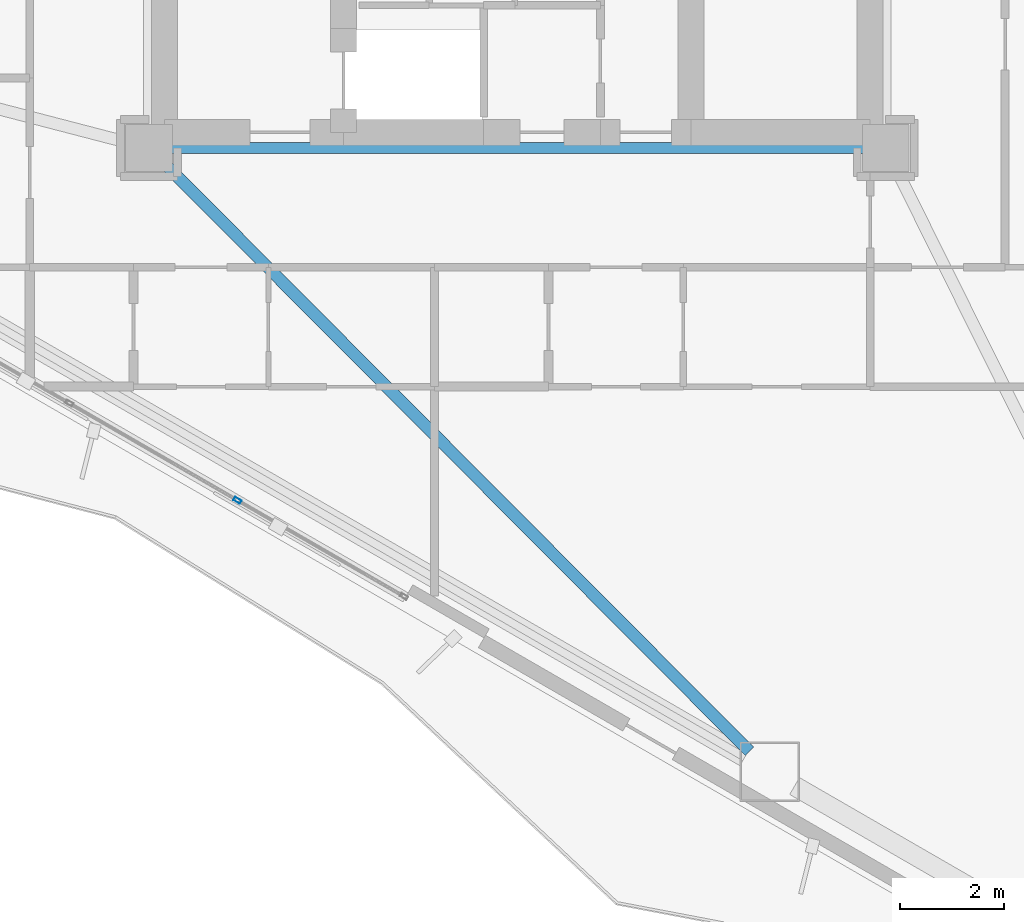
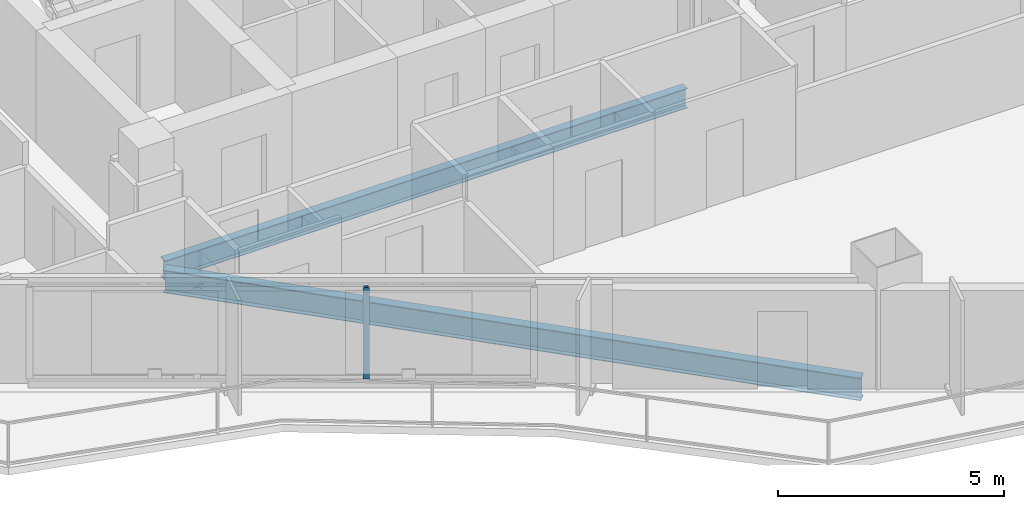
# One storey, part 4 of 23: 2 beams, 1 member, 1 element without a shape of its own.
"""IFC4 building model written with IfcOpenShell, lengths in metres."""

from ifc_helpers import new_model, si_unit, direction, frame, origin, origin_2d, place, context, subcontext, project, spatial, hollow_rectangle, i_section, extrude, material, layer, layer_set, material_profile, profile_set, type_object, element, aggregate, save


model = new_model("IFC4")

# Units and contexts
model_context = context("Model", 3, precision=1e-05, world=origin(), true_north=direction((0.0, 1.0)))
body_context = subcontext(model_context, "Body", "Model", "MODEL_VIEW")
ifc_project = project(units=[si_unit("LENGTHUNIT", "METRE"), si_unit("AREAUNIT", "SQUARE_METRE"), si_unit("VOLUMEUNIT", "CUBIC_METRE"), si_unit("PLANEANGLEUNIT", "RADIAN"), si_unit("MASSUNIT", "GRAM", prefix="KILO")], contexts=[model_context])

# Site, building, storey
site_placement = place(None, origin())
site = spatial("IfcSite", under=ifc_project, at=site_placement, CompositionType="ELEMENT")
building_placement = place(site_placement, origin())
building = spatial("IfcBuilding", under=site, at=building_placement, Name="Mersakhor Tower and Convention Hall", CompositionType="ELEMENT")
storey_placement = place(building_placement, frame((0.0, 0.0, 93.300048828125)))
storey = spatial("IfcBuildingStorey", under=building, at=storey_placement, Name="L25", CompositionType="ELEMENT", Elevation=93.300048828125)

# Beams
ifc_material_1 = material(Name="Steel S355", Category="steel")
ifc_material_profile_1 = material_profile(ifc_material_1, i_section(OverallWidth=0.2099609375, OverallDepth=0.53662109375, WebThickness=0.0107421875, FlangeThickness=0.017333984375, at=origin_2d()), Name="UB 533x210x101")
ifc_profile_set_1 = profile_set([ifc_material_profile_1], Name="Steel S355")
beam_type_1 = type_object("IfcBeamType", Name="BM-FB-533", PredefinedType="BEAM", material=ifc_profile_set_1)
beam_1_placement = place(storey_placement, frame((35.669921875, 20.449951171875, -0.5185546875), z_axis=(-1.0, 0.0, 0.0), x_axis=(0.0, -1.0, 0.0)))
element("IfcBeam", 1, at=beam_1_placement, inside=storey, type_object=beam_type_1, Name="L25 Core Ring Tie Beam CRB-4", PredefinedType="BEAM", context=body_context, shape_type="SweptSolid", body=[
    extrude(i_section(OverallWidth=0.2099609375, OverallDepth=0.53662109375, WebThickness=0.0107421875, FlangeThickness=0.017333984375, at=origin_2d()), origin(), (0.0, 0.0, 1.0), 13.33984375),
])
ifc_material_2 = material(Name="Steel S355", Category="steel")
ifc_material_profile_2 = material_profile(ifc_material_2, i_section(OverallWidth=0.22900390625, OverallDepth=0.6123046875, WebThickness=0.011962890625, FlangeThickness=0.01953125, at=origin_2d()), Name="UB 610x229x125")
ifc_profile_set_2 = profile_set([ifc_material_profile_2], Name="Steel S355")
beam_type_2 = type_object("IfcBeamType", Name="BM-PR-610", PredefinedType="BEAM", material=ifc_profile_set_2)
beam_2_placement = place(storey_placement, frame((22.203369140625, 20.145263671875, -0.55615234375), z_axis=(0.705400603107, -0.708808852327, 0.0), x_axis=(0.708808852327, 0.705400603107, 0.0)))
element("IfcBeam", 2, at=beam_2_placement, inside=storey, type_object=beam_type_2, Name="L25 Primary Floor Girder FG-5", PredefinedType="BEAM", context=body_context, shape_type="SweptSolid", body=[
    extrude(i_section(OverallWidth=0.22900390625, OverallDepth=0.6123046875, WebThickness=0.011962890625, FlangeThickness=0.01953125, at=origin_2d()), origin(), (0.0, 0.0, 1.0), 15.973876953125),
])

# Curtain wall, member
ifc_material_3 = material(Name="Dark solar low-E aluminium curtain wall", Category="aluminium")
ifc_layer = layer(ifc_material_3, 0.159912109375)
ifc_layer_set = layer_set([ifc_layer], Name="Dark solar low-E aluminium curtain wall")
curtain_wall_type = type_object("IfcCurtainWallType", Name="CW-SYS-01", PredefinedType="USERDEFINED", material=ifc_layer_set)
curtain_wall_placement = place(storey_placement, origin())
curtain_wall = element("IfcCurtainWall", 3, at=curtain_wall_placement, inside=storey, type_object=curtain_wall_type, Name="L25 Dark-Glass Curtain Wall F3-B2", ObjectType="CURTAIN WALL", PredefinedType="USERDEFINED")
ifc_material_4 = material(Name="Anodised aluminium EN AW-6063 T6", Category="aluminium")
ifc_material_profile_3 = material_profile(ifc_material_4, hollow_rectangle(XDim=0.074951171875, YDim=0.14990234375, WallThickness=0.00634765625, at=origin_2d()), Name="RHS 150x75x6.3")
ifc_profile_set_3 = profile_set([ifc_material_profile_3], Name="Anodised aluminium EN AW-6063 T6")
member_type = type_object("IfcMemberType", Name="CWM-150x75", PredefinedType="MULLION", material=ifc_profile_set_3)
member_placement = place(storey_placement, frame((23.603515625, 13.659912109375, 0.199951171875), z_axis=(0.0, 0.0, 1.0), x_axis=(-0.499997904985, -0.866026613339, 0.0)))
member = element("IfcMember", 4, at=member_placement, type_object=member_type, Name="CW-01 mullion 2", PredefinedType="MULLION", context=body_context, shape_type="SweptSolid", body=[
    extrude(hollow_rectangle(XDim=0.074951171875, YDim=0.14990234375, WallThickness=0.00634765625, at=origin_2d()), origin(), (0.0, 0.0, 1.0), 2.469970703125),
])
aggregate(curtain_wall, [member])

save(model, "model.ifc")
